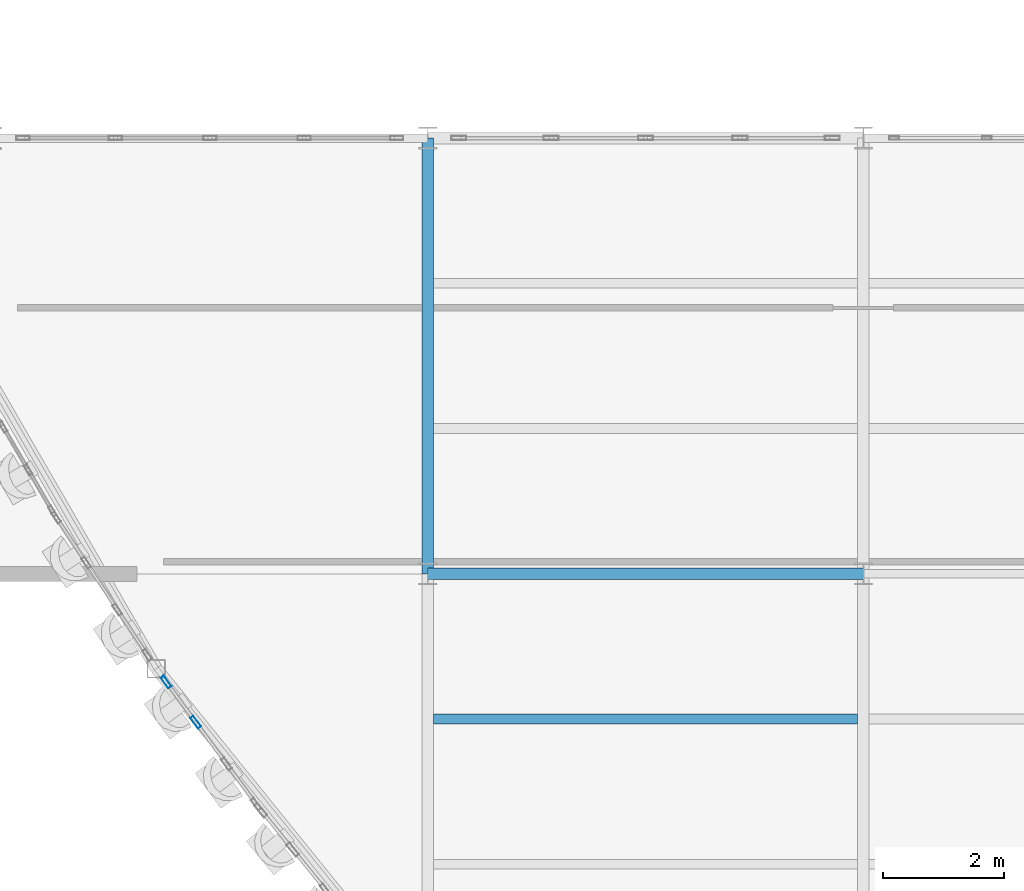
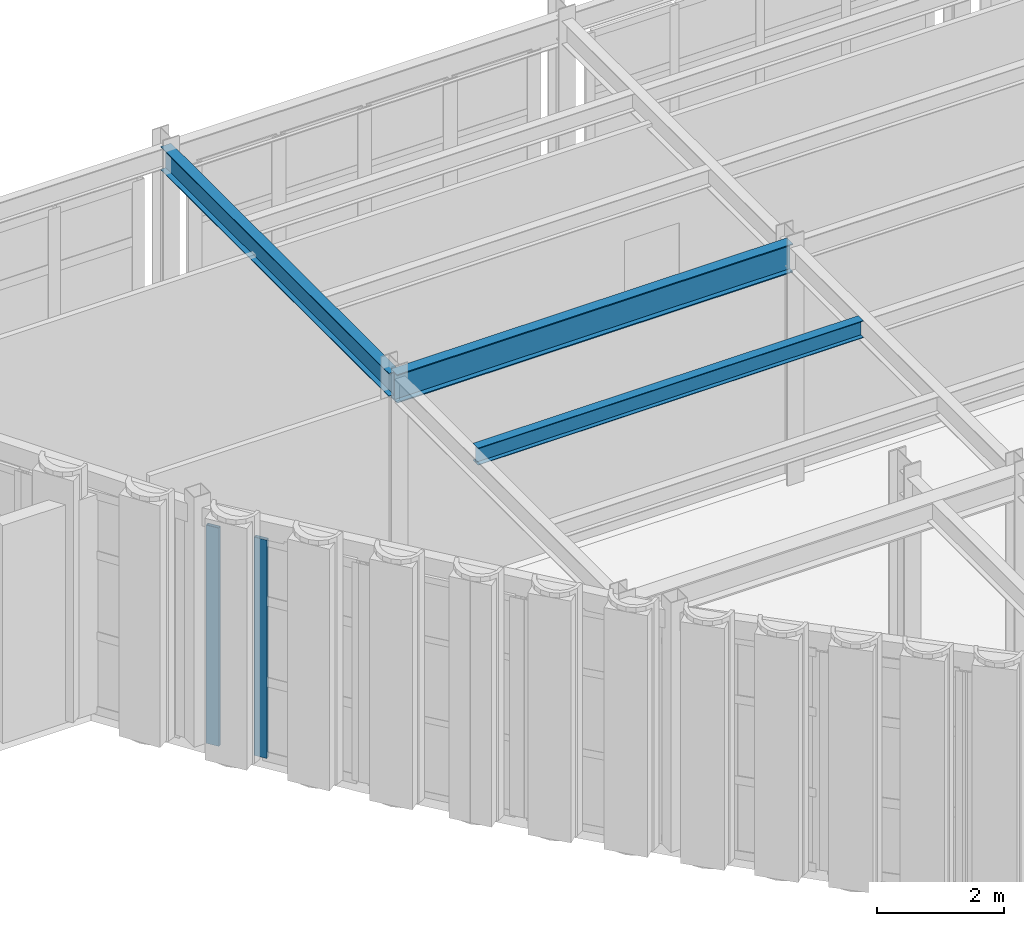
# One storey, part 23 of 121: 3 beams, 2 members, 1 element without a shape of its own.
"""IFC4 building model written with IfcOpenShell, lengths in metres."""

from ifc_helpers import new_model, si_unit, direction, frame, origin, origin_2d, place, context, subcontext, project, spatial, hollow_rectangle, i_section, extrude, material, layer, layer_set, material_profile, profile_set, type_object, element, aggregate, save


model = new_model("IFC4")

# Units and contexts
model_context = context("Model", 3, precision=1e-05, world=origin(), true_north=direction((0.0, 1.0)))
body_context = subcontext(model_context, "Body", "Model", "MODEL_VIEW")
ifc_project = project(units=[si_unit("LENGTHUNIT", "METRE"), si_unit("AREAUNIT", "SQUARE_METRE"), si_unit("VOLUMEUNIT", "CUBIC_METRE"), si_unit("PLANEANGLEUNIT", "RADIAN"), si_unit("MASSUNIT", "GRAM", prefix="KILO")], contexts=[model_context])

# Site, building, storey
site_placement = place(None, origin())
site = spatial("IfcSite", under=ifc_project, at=site_placement, CompositionType="ELEMENT")
building_placement = place(site_placement, origin())
building = spatial("IfcBuilding", under=site, at=building_placement, Name="Solvadek Multi-Sports Hall", CompositionType="ELEMENT")
storey_placement = place(building_placement, frame((0.0, 0.0, 4.800048828125)))
storey = spatial("IfcBuildingStorey", under=building, at=storey_placement, Name="L01", CompositionType="ELEMENT", Elevation=4.800048828125)

# Curtain wall, members
ifc_material_1 = material(Name="Anodised aluminium", Category="aluminium")
ifc_layer = layer(ifc_material_1, 0.159912109375, Name="Anodised aluminium")
ifc_layer_set = layer_set([ifc_layer], Name="Anodised aluminium")
curtain_wall_type = type_object("IfcCurtainWallType", Name="ENV-CW-257X420", PredefinedType="USERDEFINED", material=ifc_layer_set)
curtain_wall_placement = place(storey_placement, origin())
curtain_wall = element("IfcCurtainWall", 1, at=curtain_wall_placement, inside=storey, type_object=curtain_wall_type, Name="L01 Crescent Curved Curtain Wall #7", ObjectType="CURTAIN WALL", PredefinedType="USERDEFINED")
ifc_material_profile_1 = material_profile(ifc_material_1, hollow_rectangle(XDim=0.06494140625, YDim=0.219970703125, WallThickness=0.0048828125, at=origin_2d()), Name="ALU-M 220x65x5")
ifc_profile_set_1 = profile_set([ifc_material_profile_1], Name="Anodised aluminium")
member_type = type_object("IfcMemberType", Name="ENV-CWM-04", PredefinedType="MULLION", material=ifc_profile_set_1)
member_1_placement = place(storey_placement, frame((31.6767578125, 11.4130859375, 0.0), z_axis=(0.0, 0.0, 1.0), x_axis=(0.805090014572, 0.593152651883, 0.0)))
member_1 = element("IfcMember", 2, at=member_1_placement, type_object=member_type, Name="CW-04 mullion 1", PredefinedType="MULLION", context=body_context, shape_type="SweptSolid", body=[
    extrude(hollow_rectangle(XDim=0.06494140625, YDim=0.219970703125, WallThickness=0.0048828125, at=origin_2d()), origin(), (0.0, 0.0, 1.0), 4.199951171875),
])
member_2_placement = place(storey_placement, frame((32.16650390625, 10.74853515625, 0.0), z_axis=(0.0, 0.0, 1.0), x_axis=(0.805090014572, 0.593152651883, 0.0)))
member_2 = element("IfcMember", 3, at=member_2_placement, type_object=member_type, Name="CW-04 mullion 2", PredefinedType="MULLION", context=body_context, shape_type="SweptSolid", body=[
    extrude(hollow_rectangle(XDim=0.06494140625, YDim=0.219970703125, WallThickness=0.0048828125, at=origin_2d()), origin(), (0.0, 0.0, 1.0), 4.199951171875),
])
aggregate(curtain_wall, [member_1, member_2])

# Beams
ifc_material_2 = material(Name="Steel E350 (350 MPa)", Category="steel")
ifc_material_profile_2 = material_profile(ifc_material_2, i_section(OverallWidth=0.18994140625, OverallDepth=0.550048828125, WebThickness=0.01123046875, FlangeThickness=0.019287109375, at=origin_2d()), Name="ISMB 550")
ifc_profile_set_2 = profile_set([ifc_material_profile_2], Name="Steel E350 (350 MPa)")
beam_type_1 = type_object("IfcBeamType", Name="STR-BM-ISMB550", PredefinedType="BEAM", material=ifc_profile_set_2)
beam_1_placement = place(storey_placement, frame((36.0, 13.199951171875, 4.284912109375), z_axis=(1.0, 0.0, 0.0), x_axis=(0.0, 1.0, 0.0)))
element("IfcBeam", 4, at=beam_1_placement, inside=storey, type_object=beam_type_1, Name="L01 Girder B-06 #963", PredefinedType="BEAM", context=body_context, shape_type="SweptSolid", body=[
    extrude(i_section(OverallWidth=0.18994140625, OverallDepth=0.550048828125, WebThickness=0.01123046875, FlangeThickness=0.019287109375, at=origin_2d()), origin(), (0.0, 0.0, 1.0), 7.199951171875),
])
ifc_material_profile_3 = material_profile(ifc_material_2, i_section(OverallWidth=0.18994140625, OverallDepth=0.449951171875, WebThickness=0.009521484375, FlangeThickness=0.0146484375, at=origin_2d()), Name="NPB 450")
ifc_profile_set_3 = profile_set([ifc_material_profile_3], Name="Steel E350 (350 MPa)")
beam_type_2 = type_object("IfcBeamType", Name="STR-BM-NPB450", PredefinedType="BEAM", material=ifc_profile_set_3)
beam_2_placement = place(storey_placement, frame((36.0, 13.199951171875, 4.3349609375), z_axis=(0.0, 1.0, 0.0), x_axis=(-1.0, 0.0, 0.0)))
element("IfcBeam", 5, at=beam_2_placement, inside=storey, type_object=beam_type_2, Name="L01 Girder B-08 #1172", PredefinedType="BEAM", context=body_context, shape_type="SweptSolid", body=[
    extrude(i_section(OverallWidth=0.18994140625, OverallDepth=0.449951171875, WebThickness=0.009521484375, FlangeThickness=0.0146484375, at=origin_2d()), origin(), (0.0, 0.0, 1.0), 7.199951171875),
])
ifc_material_profile_4 = material_profile(ifc_material_2, i_section(OverallWidth=0.159912109375, OverallDepth=0.330078125, WebThickness=0.007568359375, FlangeThickness=0.011474609375, at=origin_2d()), Name="NPB 330")
ifc_profile_set_4 = profile_set([ifc_material_profile_4], Name="Steel E350 (350 MPa)")
beam_type_3 = type_object("IfcBeamType", Name="STR-JST-NPB330", PredefinedType="JOIST", material=ifc_profile_set_4)
beam_3_placement = place(storey_placement, frame((36.094970703125, 10.800048828125, 4.39501953125), z_axis=(1.0, 0.0, 0.0), x_axis=(0.0, 1.0, 0.0)))
element("IfcBeam", 6, at=beam_3_placement, inside=storey, type_object=beam_type_3, Name="L01 Composite Joist J-02 #589", PredefinedType="JOIST", context=body_context, shape_type="SweptSolid", body=[
    extrude(i_section(OverallWidth=0.159912109375, OverallDepth=0.330078125, WebThickness=0.007568359375, FlangeThickness=0.011474609375, at=origin_2d()), origin(), (0.0, 0.0, 1.0), 7.010009765625),
])

save(model, "model.ifc")
